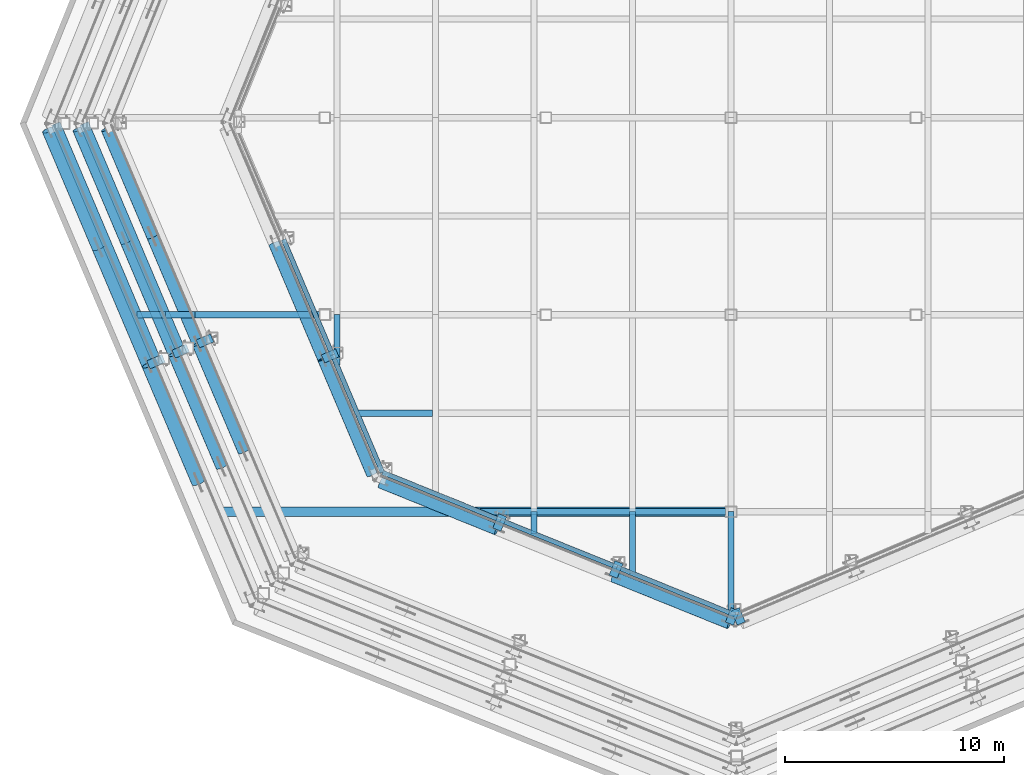
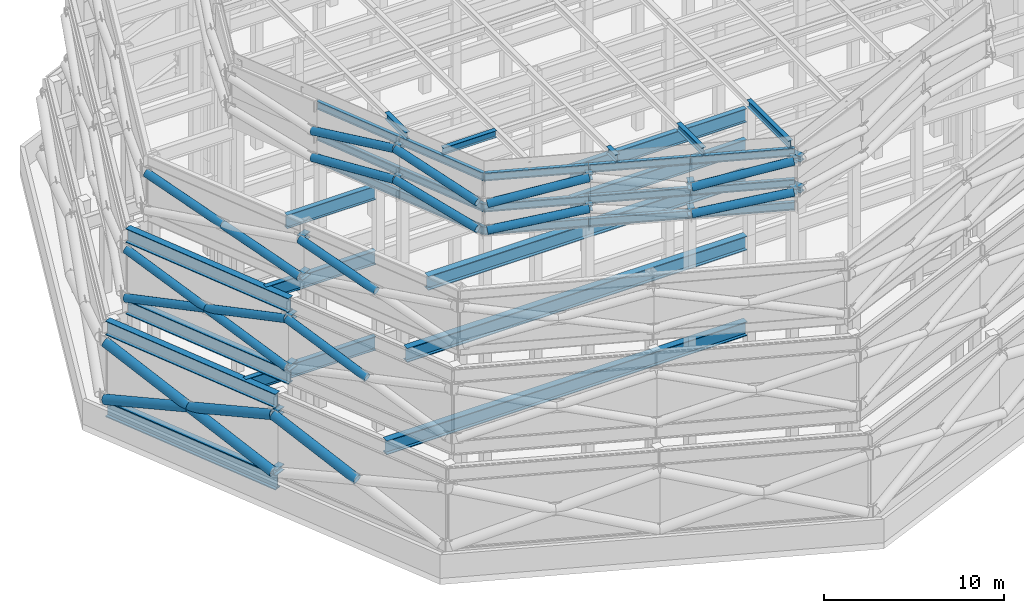
# One storey, part 4 of 19: 35 members, 32 beams.
"""IFC4 building model written with IfcOpenShell, lengths in metres."""

from ifc_helpers import new_model, si_unit, direction, frame, origin, origin_2d, place, context, subcontext, project, spatial, hollow_circle, i_section, extrude, material, material_profile, profile_set, type_object, element, save


model = new_model("IFC4")

# Units and contexts
model_context = context("Model", 3, precision=1e-05, world=origin(), true_north=direction((0.0, 1.0)))
body_context = subcontext(model_context, "Body", "Model", "MODEL_VIEW")
ifc_project = project(units=[si_unit("LENGTHUNIT", "METRE"), si_unit("AREAUNIT", "SQUARE_METRE"), si_unit("VOLUMEUNIT", "CUBIC_METRE"), si_unit("PLANEANGLEUNIT", "RADIAN"), si_unit("MASSUNIT", "GRAM", prefix="KILO")], contexts=[model_context])

# Site, building, storey
site_placement = place(None, origin())
site = spatial("IfcSite", under=ifc_project, at=site_placement, CompositionType="ELEMENT")
building_placement = place(site_placement, origin())
building = spatial("IfcBuilding", under=site, at=building_placement, Name="Orlundy Tower", CompositionType="ELEMENT")
storey_placement = place(building_placement, frame((0.0, 0.0, 304.300048828125)))
storey = spatial("IfcBuildingStorey", under=building, at=storey_placement, Name="Roof", CompositionType="ELEMENT", Elevation=304.300048828125)

# Beams
ifc_material_1 = material(Name="Steel ASTM A992 Gr 50", Category="steel")
ifc_material_profile_1 = material_profile(ifc_material_1, i_section(OverallWidth=0.2802734375, OverallDepth=0.46240234375, WebThickness=0.0107421875, FlangeThickness=0.017333984375, at=origin_2d()), Name="W18X76")
ifc_profile_set_1 = profile_set([ifc_material_profile_1], Name="Steel ASTM A992 Gr 50")
beam_type_1 = type_object("IfcBeamType", Name="CROWN FRAME beam W18X76", PredefinedType="BEAM", material=ifc_profile_set_1)
beam_1_placement = place(storey_placement, frame((-18.0, -11.306640625, 21.131103515625), z_axis=(0.0, 1.0, 0.0), x_axis=(-1.0, 0.0, 0.0)))
element("IfcBeam", 1, at=beam_1_placement, inside=storey, type_object=beam_type_1, Name="CROWN FRAME secondary beam 02A", PredefinedType="BEAM", context=body_context, shape_type="SweptSolid", body=[
    extrude(i_section(OverallWidth=0.2802734375, OverallDepth=0.46240234375, WebThickness=0.0107421875, FlangeThickness=0.017333984375, at=origin_2d()), origin(), (0.0, 0.0, 1.0), 2.306640625),
])
beam_2_placement = place(storey_placement, frame((-9.0, -18.998779296875, 21.131103515625), z_axis=(0.0, 1.0, 0.0), x_axis=(-1.0, 0.0, 0.0)))
element("IfcBeam", 2, at=beam_2_placement, inside=storey, type_object=beam_type_1, Name="CROWN FRAME secondary beam 04A", PredefinedType="BEAM", context=body_context, shape_type="SweptSolid", body=[
    extrude(i_section(OverallWidth=0.2802734375, OverallDepth=0.46240234375, WebThickness=0.0107421875, FlangeThickness=0.017333984375, at=origin_2d()), origin(), (0.0, 0.0, 1.0), 0.998779296875),
])
beam_3_placement = place(storey_placement, frame((-4.5, -20.81689453125, 21.131103515625), z_axis=(0.0, 1.0, 0.0), x_axis=(-1.0, 0.0, 0.0)))
element("IfcBeam", 3, at=beam_3_placement, inside=storey, type_object=beam_type_1, Name="CROWN FRAME secondary beam 05A", PredefinedType="BEAM", context=body_context, shape_type="SweptSolid", body=[
    extrude(i_section(OverallWidth=0.2802734375, OverallDepth=0.46240234375, WebThickness=0.0107421875, FlangeThickness=0.017333984375, at=origin_2d()), origin(), (0.0, 0.0, 1.0), 2.81689453125),
])
beam_4_placement = place(storey_placement, frame((0.0, -22.635009765625, 21.131103515625), z_axis=(0.0, 1.0, 0.0), x_axis=(-1.0, 0.0, 0.0)))
element("IfcBeam", 4, at=beam_4_placement, inside=storey, type_object=beam_type_1, Name="CROWN FRAME secondary beam 06A", PredefinedType="BEAM", context=body_context, shape_type="SweptSolid", body=[
    extrude(i_section(OverallWidth=0.2802734375, OverallDepth=0.46240234375, WebThickness=0.0107421875, FlangeThickness=0.017333984375, at=origin_2d()), origin(), (0.0, 0.0, 1.0), 4.635009765625),
])
beam_5_placement = place(storey_placement, frame((-17.06884765625, -13.5, 21.131103515625), z_axis=(1.0, 0.0, 0.0), x_axis=(0.0, 1.0, 0.0)))
element("IfcBeam", 5, at=beam_5_placement, inside=storey, type_object=beam_type_1, Name="CROWN FRAME cap cross beam 1A", PredefinedType="BEAM", context=body_context, shape_type="SweptSolid", body=[
    extrude(i_section(OverallWidth=0.2802734375, OverallDepth=0.46240234375, WebThickness=0.0107421875, FlangeThickness=0.017333984375, at=origin_2d()), origin(), (0.0, 0.0, 1.0), 3.4287109375),
])
ifc_material_2 = material(Name="Steel ASTM A992 Gr 50", Category="steel")
ifc_material_profile_2 = material_profile(ifc_material_2, i_section(OverallWidth=0.2138671875, OverallDepth=0.549072265625, WebThickness=0.0146484375, FlangeThickness=0.023681640625, at=origin_2d()), Name="W21X93")
ifc_profile_set_2 = profile_set([ifc_material_profile_2], Name="Steel ASTM A992 Gr 50")
beam_type_2 = type_object("IfcBeamType", Name="CROWN FRAME beam W21X93", PredefinedType="BEAM", material=ifc_profile_set_2)
beam_6_placement = place(storey_placement, frame((-20.437744140625, -5.563720703125, 16.974365234375), z_axis=(0.390743549049, -0.920499581139, 0.0), x_axis=(0.920499581139, 0.390743549049, 0.0)))
element("IfcBeam", 6, at=beam_6_placement, inside=storey, type_object=beam_type_2, Name="CROWN FRAME foot ring beam 4-11", PredefinedType="BEAM", context=body_context, shape_type="SweptSolid", body=[
    extrude(i_section(OverallWidth=0.2138671875, OverallDepth=0.549072265625, WebThickness=0.0146484375, FlangeThickness=0.023681640625, at=origin_2d()), origin(), (0.0, 0.0, 1.0), 5.72900390625),
])
for number, where, z_axis, x_axis, name in (
    (7, (-18.19921875, -10.837158203125, 16.974365234375), (0.390721951602, -0.920508748756, 0.0), (0.920508748756, 0.390721951602, 0.0), "CROWN FRAME foot ring beam 4-12"),
    (8, (-15.921875, -16.202392578125, 16.974365234375), (0.927191485456, -0.374587705748, 0.0), (0.374587705748, 0.927191485456, 0.0), "CROWN FRAME foot ring beam 4-13"),
):
    element("IfcBeam", number, at=place(storey_placement, frame(where, z_axis=z_axis, x_axis=x_axis)), inside=storey, type_object=beam_type_2, Name=name, PredefinedType="BEAM", context=body_context, shape_type="SweptSolid", body=[
        extrude(i_section(OverallWidth=0.2138671875, OverallDepth=0.549072265625, WebThickness=0.0146484375, FlangeThickness=0.023681640625, at=origin_2d()), origin(), (0.0, 0.0, 1.0), 5.82861328125),
    ])
beam_7_placement = place(storey_placement, frame((-10.517578125, -18.3857421875, 16.974365234375), z_axis=(0.927189754333, -0.374591990651, 0.0), x_axis=(0.374591990651, 0.927189754333, 0.0)))
element("IfcBeam", 9, at=beam_7_placement, inside=storey, type_object=beam_type_2, Name="CROWN FRAME foot ring beam 4-14", PredefinedType="BEAM", context=body_context, shape_type="SweptSolid", body=[
    extrude(i_section(OverallWidth=0.2138671875, OverallDepth=0.549072265625, WebThickness=0.0146484375, FlangeThickness=0.023681640625, at=origin_2d()), origin(), (0.0, 0.0, 1.0), 5.72900390625),
])
beam_8_placement = place(storey_placement, frame((-5.205810546875, -20.53173828125, 16.974365234375), z_axis=(0.927191485456, -0.374587705748, 0.0), x_axis=(0.374587705748, 0.927191485456, 0.0)))
element("IfcBeam", 10, at=beam_8_placement, inside=storey, type_object=beam_type_2, Name="CROWN FRAME foot ring beam 4-15", PredefinedType="BEAM", context=body_context, shape_type="SweptSolid", body=[
    extrude(i_section(OverallWidth=0.2138671875, OverallDepth=0.549072265625, WebThickness=0.0146484375, FlangeThickness=0.023681640625, at=origin_2d()), origin(), (0.0, 0.0, 1.0), 5.82861328125),
])
beam_9_placement = place(storey_placement, frame((-20.437744140625, -5.563720703125, 18.525390625), z_axis=(0.390743549049, -0.920499581139, 0.0), x_axis=(0.920499581139, 0.390743549049, 0.0)))
element("IfcBeam", 11, at=beam_9_placement, inside=storey, type_object=beam_type_2, Name="CROWN FRAME head ring beam 4-11", PredefinedType="BEAM", context=body_context, shape_type="SweptSolid", body=[
    extrude(i_section(OverallWidth=0.2138671875, OverallDepth=0.549072265625, WebThickness=0.0146484375, FlangeThickness=0.023681640625, at=origin_2d()), origin(), (0.0, 0.0, 1.0), 5.72900390625),
])
for number, where, z_axis, x_axis, name in (
    (12, (-18.19921875, -10.837158203125, 18.525390625), (0.390721951602, -0.920508748756, 0.0), (0.920508748756, 0.390721951602, 0.0), "CROWN FRAME head ring beam 4-12"),
    (13, (-15.921875, -16.202392578125, 18.525390625), (0.927191485456, -0.374587705748, 0.0), (0.374587705748, 0.927191485456, 0.0), "CROWN FRAME head ring beam 4-13"),
):
    element("IfcBeam", number, at=place(storey_placement, frame(where, z_axis=z_axis, x_axis=x_axis)), inside=storey, type_object=beam_type_2, Name=name, PredefinedType="BEAM", context=body_context, shape_type="SweptSolid", body=[
        extrude(i_section(OverallWidth=0.2138671875, OverallDepth=0.549072265625, WebThickness=0.0146484375, FlangeThickness=0.023681640625, at=origin_2d()), origin(), (0.0, 0.0, 1.0), 5.82861328125),
    ])
beam_10_placement = place(storey_placement, frame((-10.517578125, -18.3857421875, 18.525390625), z_axis=(0.927189754333, -0.374591990651, 0.0), x_axis=(0.374591990651, 0.927189754333, 0.0)))
element("IfcBeam", 14, at=beam_10_placement, inside=storey, type_object=beam_type_2, Name="CROWN FRAME head ring beam 4-14", PredefinedType="BEAM", context=body_context, shape_type="SweptSolid", body=[
    extrude(i_section(OverallWidth=0.2138671875, OverallDepth=0.549072265625, WebThickness=0.0146484375, FlangeThickness=0.023681640625, at=origin_2d()), origin(), (0.0, 0.0, 1.0), 5.72900390625),
])
beam_11_placement = place(storey_placement, frame((-5.205810546875, -20.53173828125, 18.525390625), z_axis=(0.927191485456, -0.374587705748, 0.0), x_axis=(0.374587705748, 0.927191485456, 0.0)))
element("IfcBeam", 15, at=beam_11_placement, inside=storey, type_object=beam_type_2, Name="CROWN FRAME head ring beam 4-15", PredefinedType="BEAM", context=body_context, shape_type="SweptSolid", body=[
    extrude(i_section(OverallWidth=0.2138671875, OverallDepth=0.549072265625, WebThickness=0.0146484375, FlangeThickness=0.023681640625, at=origin_2d()), origin(), (0.0, 0.0, 1.0), 5.82861328125),
])
beam_12_placement = place(storey_placement, frame((-20.437744140625, -5.563720703125, 20.62548828125), z_axis=(0.390743549049, -0.920499581139, 0.0), x_axis=(0.920499581139, 0.390743549049, 0.0)))
element("IfcBeam", 16, at=beam_12_placement, inside=storey, type_object=beam_type_2, Name="CROWN FRAME head ring beam 5-11", PredefinedType="BEAM", context=body_context, shape_type="SweptSolid", body=[
    extrude(i_section(OverallWidth=0.2138671875, OverallDepth=0.549072265625, WebThickness=0.0146484375, FlangeThickness=0.023681640625, at=origin_2d()), origin(), (0.0, 0.0, 1.0), 5.72900390625),
])
for number, where, z_axis, x_axis, name in (
    (17, (-18.19921875, -10.837158203125, 20.62548828125), (0.390721951602, -0.920508748756, 0.0), (0.920508748756, 0.390721951602, 0.0), "CROWN FRAME head ring beam 5-12"),
    (18, (-15.921875, -16.202392578125, 20.62548828125), (0.927191485456, -0.374587705748, 0.0), (0.374587705748, 0.927191485456, 0.0), "CROWN FRAME head ring beam 5-13"),
):
    element("IfcBeam", number, at=place(storey_placement, frame(where, z_axis=z_axis, x_axis=x_axis)), inside=storey, type_object=beam_type_2, Name=name, PredefinedType="BEAM", context=body_context, shape_type="SweptSolid", body=[
        extrude(i_section(OverallWidth=0.2138671875, OverallDepth=0.549072265625, WebThickness=0.0146484375, FlangeThickness=0.023681640625, at=origin_2d()), origin(), (0.0, 0.0, 1.0), 5.82861328125),
    ])
beam_13_placement = place(storey_placement, frame((-10.517578125, -18.3857421875, 20.62548828125), z_axis=(0.927189754333, -0.374591990651, 0.0), x_axis=(0.374591990651, 0.927189754333, 0.0)))
element("IfcBeam", 19, at=beam_13_placement, inside=storey, type_object=beam_type_2, Name="CROWN FRAME head ring beam 5-14", PredefinedType="BEAM", context=body_context, shape_type="SweptSolid", body=[
    extrude(i_section(OverallWidth=0.2138671875, OverallDepth=0.549072265625, WebThickness=0.0146484375, FlangeThickness=0.023681640625, at=origin_2d()), origin(), (0.0, 0.0, 1.0), 5.72900390625),
])
beam_14_placement = place(storey_placement, frame((-5.205810546875, -20.53173828125, 20.62548828125), z_axis=(0.927191485456, -0.374587705748, 0.0), x_axis=(0.374587705748, 0.927191485456, 0.0)))
element("IfcBeam", 20, at=beam_14_placement, inside=storey, type_object=beam_type_2, Name="CROWN FRAME head ring beam 5-15", PredefinedType="BEAM", context=body_context, shape_type="SweptSolid", body=[
    extrude(i_section(OverallWidth=0.2138671875, OverallDepth=0.549072265625, WebThickness=0.0146484375, FlangeThickness=0.023681640625, at=origin_2d()), origin(), (0.0, 0.0, 1.0), 5.82861328125),
])
ifc_material_3 = material(Name="Steel ASTM A992 Gr 50", Category="steel")
ifc_material_profile_3 = material_profile(ifc_material_3, i_section(OverallWidth=0.3076171875, OverallDepth=0.9267578125, WebThickness=0.01953125, FlangeThickness=0.031982421875, at=origin_2d()), Name="W36X194")
ifc_profile_set_3 = profile_set([ifc_material_profile_3], Name="Steel ASTM A992 Gr 50")
beam_type_3 = type_object("IfcBeamType", Name="CROWN FRAME beam W36X194", PredefinedType="BEAM", material=ifc_profile_set_3)
beam_15_placement = place(storey_placement, frame((-27.1318359375, -9.0, 6.03662109375), z_axis=(1.0, 0.0, 0.0), x_axis=(0.0, 1.0, 0.0)))
element("IfcBeam", 21, at=beam_15_placement, inside=storey, type_object=beam_type_3, Name="CROWN FRAME primary beam 2A frame 1", PredefinedType="BEAM", context=body_context, shape_type="SweptSolid", body=[
    extrude(i_section(OverallWidth=0.3076171875, OverallDepth=0.9267578125, WebThickness=0.01953125, FlangeThickness=0.031982421875, at=origin_2d()), origin(), (0.0, 0.0, 1.0), 8.353271484375),
])
beam_16_placement = place(storey_placement, frame((-25.828125, -9.0, 11.836669921875), z_axis=(1.0, 0.0, 0.0), x_axis=(0.0, 1.0, 0.0)))
element("IfcBeam", 22, at=beam_16_placement, inside=storey, type_object=beam_type_3, Name="CROWN FRAME primary beam 2A frame 2", PredefinedType="BEAM", context=body_context, shape_type="SweptSolid", body=[
    extrude(i_section(OverallWidth=0.3076171875, OverallDepth=0.9267578125, WebThickness=0.01953125, FlangeThickness=0.031982421875, at=origin_2d()), origin(), (0.0, 0.0, 1.0), 7.049560546875),
])
beam_17_placement = place(storey_placement, frame((-24.473388671875, -9.0, 16.236572265625), z_axis=(1.0, 0.0, 0.0), x_axis=(0.0, 1.0, 0.0)))
element("IfcBeam", 23, at=beam_17_placement, inside=storey, type_object=beam_type_3, Name="CROWN FRAME primary beam 2A frame 3", PredefinedType="BEAM", context=body_context, shape_type="SweptSolid", body=[
    extrude(i_section(OverallWidth=0.3076171875, OverallDepth=0.9267578125, WebThickness=0.01953125, FlangeThickness=0.031982421875, at=origin_2d()), origin(), (0.0, 0.0, 1.0), 5.69482421875),
])
for number, where, z_axis, x_axis, name in (
    (24, (-11.472412109375, -18.0, 18.336669921875), (1.0, 0.0, 0.0), (0.0, 1.0, 0.0), "CROWN FRAME primary beam 1A frame 4"),
    (25, (-11.472412109375, -18.0, 20.4365234375), (1.0, 0.0, 0.0), (0.0, 1.0, 0.0), "CROWN FRAME primary beam 1A frame 5"),
):
    element("IfcBeam", number, at=place(storey_placement, frame(where, z_axis=z_axis, x_axis=x_axis)), inside=storey, type_object=beam_type_3, Name=name, PredefinedType="BEAM", context=body_context, shape_type="SweptSolid", body=[
        extrude(i_section(OverallWidth=0.3076171875, OverallDepth=0.9267578125, WebThickness=0.01953125, FlangeThickness=0.031982421875, at=origin_2d()), origin(), (0.0, 0.0, 1.0), 11.243896484375),
    ])
ifc_material_4 = material(Name="Steel ASTM A992 Gr 50", Category="steel")
ifc_material_profile_4 = material_profile(ifc_material_4, i_section(OverallWidth=0.423095703125, OverallDepth=0.947265625, WebThickness=0.02392578125, FlangeThickness=0.042724609375, at=origin_2d()), Name="W36X302")
ifc_profile_set_4 = profile_set([ifc_material_profile_4], Name="Steel ASTM A992 Gr 50")
beam_type_4 = type_object("IfcBeamType", Name="CROWN FRAME beam W36X302", PredefinedType="BEAM", material=ifc_profile_set_4)
beam_18_placement = place(storey_placement, frame((-30.837890625, -0.269287109375, 6.0263671875), z_axis=(0.390733654412, -0.920503781258, 0.0), x_axis=(0.920503781258, 0.390733654412, 0.0)))
element("IfcBeam", 26, at=beam_18_placement, inside=storey, type_object=beam_type_4, Name="CROWN FRAME head ring beam 1-07", PredefinedType="BEAM", context=body_context, shape_type="SweptSolid", body=[
    extrude(i_section(OverallWidth=0.423095703125, OverallDepth=0.947265625, WebThickness=0.02392578125, FlangeThickness=0.042724609375, at=origin_2d()), origin(), (0.0, 0.0, 1.0), 11.8017578125),
])
for number, where, z_axis, x_axis, name in (
    (27, (-29.5390625, -0.2578125, 6.9736328125), (0.390742289299, -0.92050011589, 0.0), (0.92050011589, 0.390742289299, 0.0), "CROWN FRAME foot ring beam 2-07"),
    (28, (-29.5390625, -0.2578125, 11.826416015625), (0.390742289299, -0.92050011589, 0.0), (0.92050011589, 0.390742289299, 0.0), "CROWN FRAME head ring beam 2-07"),
):
    element("IfcBeam", number, at=place(storey_placement, frame(where, z_axis=z_axis, x_axis=x_axis)), inside=storey, type_object=beam_type_4, Name=name, PredefinedType="BEAM", context=body_context, shape_type="SweptSolid", body=[
        extrude(i_section(OverallWidth=0.423095703125, OverallDepth=0.947265625, WebThickness=0.02392578125, FlangeThickness=0.042724609375, at=origin_2d()), origin(), (0.0, 0.0, 1.0), 11.3046875),
    ])
beam_19_placement = place(storey_placement, frame((-23.311279296875, -18.0, 6.0263671875), z_axis=(1.0, 0.0, 0.0), x_axis=(0.0, 1.0, 0.0)))
element("IfcBeam", 29, at=beam_19_placement, inside=storey, type_object=beam_type_4, Name="CROWN FRAME primary beam 1A frame 1", PredefinedType="BEAM", context=body_context, shape_type="SweptSolid", body=[
    extrude(i_section(OverallWidth=0.423095703125, OverallDepth=0.947265625, WebThickness=0.02392578125, FlangeThickness=0.042724609375, at=origin_2d()), origin(), (0.0, 0.0, 1.0), 23.082763671875),
])
beam_20_placement = place(storey_placement, frame((-22.0078125, -18.0, 11.826416015625), z_axis=(1.0, 0.0, 0.0), x_axis=(0.0, 1.0, 0.0)))
element("IfcBeam", 30, at=beam_20_placement, inside=storey, type_object=beam_type_4, Name="CROWN FRAME primary beam 1A frame 2", PredefinedType="BEAM", context=body_context, shape_type="SweptSolid", body=[
    extrude(i_section(OverallWidth=0.423095703125, OverallDepth=0.947265625, WebThickness=0.02392578125, FlangeThickness=0.042724609375, at=origin_2d()), origin(), (0.0, 0.0, 1.0), 21.779296875),
])
beam_21_placement = place(storey_placement, frame((-20.6533203125, -18.0, 16.226318359375), z_axis=(1.0, 0.0, 0.0), x_axis=(0.0, 1.0, 0.0)))
element("IfcBeam", 31, at=beam_21_placement, inside=storey, type_object=beam_type_4, Name="CROWN FRAME primary beam 1A frame 3", PredefinedType="BEAM", context=body_context, shape_type="SweptSolid", body=[
    extrude(i_section(OverallWidth=0.423095703125, OverallDepth=0.947265625, WebThickness=0.02392578125, FlangeThickness=0.042724609375, at=origin_2d()), origin(), (0.0, 0.0, 1.0), 20.4248046875),
])
ifc_material_5 = material(Name="Steel ASTM A992 Gr 50", Category="steel")
ifc_material_profile_5 = material_profile(ifc_material_5, i_section(OverallWidth=0.41650390625, OverallDepth=1.068115234375, WebThickness=0.0390625, FlangeThickness=0.070068359375, at=origin_2d()), Name="W40X503")
ifc_profile_set_5 = profile_set([ifc_material_profile_5], Name="Steel ASTM A992 Gr 50")
beam_type_5 = type_object("IfcBeamType", Name="CROWN FRAME beam W40X503", PredefinedType="BEAM", material=ifc_profile_set_5)
beam_22_placement = place(storey_placement, frame((-30.834228515625, -0.269287109375, 0.533935546875), z_axis=(0.390725710556, -0.92050715321, 0.0), x_axis=(0.92050715321, 0.390725710556, 0.0)))
element("IfcBeam", 32, at=beam_22_placement, inside=storey, type_object=beam_type_5, Name="CROWN FRAME foot ring beam 1-07", PredefinedType="BEAM", context=body_context, shape_type="SweptSolid", body=[
    extrude(i_section(OverallWidth=0.41650390625, OverallDepth=1.068115234375, WebThickness=0.0390625, FlangeThickness=0.070068359375, at=origin_2d()), origin(), (0.0, 0.0, 1.0), 11.800048828125),
])

# Members
ifc_material_6 = material(Name="Steel ASTM A500 Gr C", Category="steel")
ifc_material_profile_6 = material_profile(ifc_material_6, hollow_circle(Radius=0.25390625, WallThickness=0.01171875, at=origin_2d()), Name="HSS20.000X0.500")
ifc_profile_set_6 = profile_set([ifc_material_profile_6], Name="Steel ASTM A500 Gr C")
member_type_1 = type_object("IfcMemberType", Name="CROWN FRAME diagonal HSS20.000X0.500", PredefinedType="BRACE", material=ifc_profile_set_6)
member_1_placement = place(storey_placement, frame((-29.816650390625, -0.53125, 7.7470703125), z_axis=(0.374642232115, -0.882610370828, 0.283975582088), x_axis=(0.920506219917, 0.390727909284, 0.0)))
element("IfcMember", 33, at=member_1_placement, inside=storey, type_object=member_type_1, Name="CROWN FRAME brace 2-07a", PredefinedType="BRACE", context=body_context, shape_type="SweptSolid", body=[
    extrude(hollow_circle(Radius=0.25390625, WallThickness=0.01171875, at=origin_2d()), origin(), (0.0, 0.0, 1.0), 11.640625),
])
for number, where, z_axis, x_axis, name in (
    (34, (-25.45556640625, -10.805419921875, 7.7470703125), (-0.374667196634, 0.882598800311, 0.283978607391), (-0.920495012787, -0.390754310832, 0.0), "CROWN FRAME brace 2-07ba"),
    (35, (-27.63623046875, -5.66845703125, 9.39990234375), (-0.374617267841, 0.882621940422, 0.283972556632), (-0.920517426031, -0.390701508026, 0.0), "CROWN FRAME brace 2-07bb"),
    (36, (-23.27490234375, -15.9423828125, 9.39990234375), (-0.374667196634, 0.882598800311, 0.283978607391), (-0.920495012787, -0.390754310832, 0.0), "CROWN FRAME brace 2-08bb"),
):
    element("IfcMember", number, at=place(storey_placement, frame(where, z_axis=z_axis, x_axis=x_axis)), inside=storey, type_object=member_type_1, Name=name, PredefinedType="BRACE", context=body_context, shape_type="SweptSolid", body=[
        extrude(hollow_circle(Radius=0.25390625, WallThickness=0.01171875, at=origin_2d()), origin(), (0.0, 0.0, 1.0), 5.8203125),
    ])
member_2_placement = place(storey_placement, frame((-24.35107421875, -10.33642578125, 13.23486328125), z_axis=(-0.380189985283, 0.895633872055, 0.230858273229), x_axis=(-0.920498952892, -0.390745029048, 0.0)))
element("IfcMember", 37, at=member_2_placement, inside=storey, type_object=member_type_1, Name="CROWN FRAME brace 3-07ba", PredefinedType="BRACE", context=body_context, shape_type="SweptSolid", body=[
    extrude(hollow_circle(Radius=0.25390625, WallThickness=0.01171875, at=origin_2d()), origin(), (0.0, 0.0, 1.0), 5.480224609375),
])
member_3_placement = place(storey_placement, frame((-26.4345703125, -5.42822265625, 14.5), z_axis=(-0.38015578332, 0.895658252416, 0.230820006256), x_axis=(-0.920515421003, -0.390706231965, 0.0)))
element("IfcMember", 38, at=member_3_placement, inside=storey, type_object=member_type_1, Name="CROWN FRAME brace 3-07bb", PredefinedType="BRACE", context=body_context, shape_type="SweptSolid", body=[
    extrude(hollow_circle(Radius=0.25390625, WallThickness=0.01171875, at=origin_2d()), origin(), (0.0, 0.0, 1.0), 5.47998046875),
])
member_4_placement = place(storey_placement, frame((-22.267578125, -15.244873046875, 14.5), z_axis=(-0.380178725407, 0.895651895279, 0.230806887314), x_axis=(-0.920505943264, -0.390728561045, 0.0)))
element("IfcMember", 39, at=member_4_placement, inside=storey, type_object=member_type_1, Name="CROWN FRAME brace 3-08bb", PredefinedType="BRACE", context=body_context, shape_type="SweptSolid", body=[
    extrude(hollow_circle(Radius=0.25390625, WallThickness=0.01171875, at=origin_2d()), origin(), (0.0, 0.0, 1.0), 5.480224609375),
])
for number, where, z_axis, x_axis, name in (
    (40, (-20.86767578125, -5.74609375, 17.299072265625), (0.385990047996, -0.909301454544, 0.155507387643), (0.920499581139, 0.390743549049, 0.0), "CROWN FRAME brace 4-11a"),
    (41, (-16.390869140625, -16.29296875, 17.299072265625), (-0.385954221838, 0.909316229461, 0.155509914427), (-0.920514908677, -0.390707439016, 0.0), "CROWN FRAME brace 4-12b"),
):
    element("IfcMember", number, at=place(storey_placement, frame(where, z_axis=z_axis, x_axis=x_axis)), inside=storey, type_object=member_type_1, Name=name, PredefinedType="BRACE", context=body_context, shape_type="SweptSolid", body=[
        extrude(hollow_circle(Radius=0.25390625, WallThickness=0.01171875, at=origin_2d()), origin(), (0.0, 0.0, 1.0), 5.79931640625),
    ])
for number, where, z_axis, x_axis, name in (
    (42, (-16.00439453125, -16.6728515625, 17.299072265625), (0.915910251797, -0.370034982456, 0.15550730662), (0.374591990651, 0.927189754333, 0.0), "CROWN FRAME brace 4-13a"),
    (43, (-5.380859375, -20.96484375, 17.299072265625), (0.915910251797, -0.370034982456, 0.15550730662), (0.374591990651, 0.927189754333, 0.0), "CROWN FRAME brace 4-15a"),
):
    element("IfcMember", number, at=place(storey_placement, frame(where, z_axis=z_axis, x_axis=x_axis)), inside=storey, type_object=member_type_1, Name=name, PredefinedType="BRACE", context=body_context, shape_type="SweptSolid", body=[
        extrude(hollow_circle(Radius=0.25390625, WallThickness=0.01171875, at=origin_2d()), origin(), (0.0, 0.0, 1.0), 5.799560546875),
    ])
member_5_placement = place(storey_placement, frame((-20.86767578125, -5.74609375, 19.099853515625), z_axis=(0.382431227207, -0.900917712693, 0.205167325404), x_axis=(0.920499581139, 0.390743549049, 0.0)))
element("IfcMember", 44, at=member_5_placement, inside=storey, type_object=member_type_1, Name="CROWN FRAME brace 5-11a", PredefinedType="BRACE", context=body_context, shape_type="SweptSolid", body=[
    extrude(hollow_circle(Radius=0.25390625, WallThickness=0.01171875, at=origin_2d()), origin(), (0.0, 0.0, 1.0), 5.853515625),
])
member_6_placement = place(storey_placement, frame((-16.390869140625, -16.29296875, 19.099853515625), z_axis=(-0.382395617318, 0.900932082685, 0.205170597904), x_axis=(-0.920514908677, -0.390707439016, 0.0)))
element("IfcMember", 45, at=member_6_placement, inside=storey, type_object=member_type_1, Name="CROWN FRAME brace 5-12b", PredefinedType="BRACE", context=body_context, shape_type="SweptSolid", body=[
    extrude(hollow_circle(Radius=0.25390625, WallThickness=0.01171875, at=origin_2d()), origin(), (0.0, 0.0, 1.0), 5.853271484375),
])
for number, where, z_axis, x_axis, name in (
    (46, (-16.00439453125, -16.6728515625, 19.099853515625), (0.90746558564, -0.366623270569, 0.20516722047), (0.374591990651, 0.927189754333, 0.0), "CROWN FRAME brace 5-13a"),
    (47, (-5.380859375, -20.96484375, 19.099853515625), (0.90746558564, -0.366623270569, 0.20516722047), (0.374591990651, 0.927189754333, 0.0), "CROWN FRAME brace 5-15a"),
):
    element("IfcMember", number, at=place(storey_placement, frame(where, z_axis=z_axis, x_axis=x_axis)), inside=storey, type_object=member_type_1, Name=name, PredefinedType="BRACE", context=body_context, shape_type="SweptSolid", body=[
        extrude(hollow_circle(Radius=0.25390625, WallThickness=0.01171875, at=origin_2d()), origin(), (0.0, 0.0, 1.0), 5.853515625),
    ])
ifc_material_7 = material(Name="Steel ASTM A1085 Gr A", Category="steel")
ifc_material_profile_7 = material_profile(ifc_material_7, hollow_circle(Radius=0.3046875, WallThickness=0.023681640625, at=origin_2d()), Name="HSS24.000X1.000")
ifc_profile_set_7 = profile_set([ifc_material_profile_7], Name="Steel ASTM A1085 Gr A")
member_type_2 = type_object("IfcMemberType", Name="CROWN FRAME diagonal HSS24.000X1.000", PredefinedType="BRACE", material=ifc_profile_set_7)
member_7_placement = place(storey_placement, frame((-31.162353515625, -0.5625, 1.3681640625), z_axis=(0.370701907246, -0.873302092117, 0.316106867795), x_axis=(0.920502138174, 0.390737525222, 0.0)))
element("IfcMember", 48, at=member_7_placement, inside=storey, type_object=member_type_2, Name="CROWN FRAME brace 1-07a", PredefinedType="BRACE", context=body_context, shape_type="SweptSolid", body=[
    extrude(hollow_circle(Radius=0.3046875, WallThickness=0.023681640625, at=origin_2d()), origin(), (0.0, 0.0, 1.0), 12.28857421875),
])
for number, where, z_axis, x_axis, name in (
    (49, (-26.60693359375, -11.294189453125, 1.3681640625), (-0.37068066643, 0.873318723065, 0.316085829291), (-0.920512866825, -0.390712249629, 0.0), "CROWN FRAME brace 1-07ba"),
    (50, (-28.884521484375, -5.92822265625, 3.310302734375), (-0.370723147785, 0.873285460024, 0.316127906086), (-0.920491408592, -0.390762801081, 0.0), "CROWN FRAME brace 1-07bb"),
    (51, (-24.329345703125, -16.659912109375, 3.310302734375), (-0.370688873441, 0.873298323559, 0.316132562664), (-0.920506472994, -0.390727313066, 0.0), "CROWN FRAME brace 1-08bb"),
):
    element("IfcMember", number, at=place(storey_placement, frame(where, z_axis=z_axis, x_axis=x_axis)), inside=storey, type_object=member_type_2, Name=name, PredefinedType="BRACE", context=body_context, shape_type="SweptSolid", body=[
        extrude(hollow_circle(Radius=0.3046875, WallThickness=0.023681640625, at=origin_2d()), origin(), (0.0, 0.0, 1.0), 6.144287109375),
    ])
ifc_material_8 = material(Name="Steel ASTM A992 Gr 50", Category="steel")
ifc_material_profile_8 = material_profile(ifc_material_8, i_section(OverallWidth=0.39892578125, OverallDepth=0.393310546875, WebThickness=0.022705078125, FlangeThickness=0.03662109375, at=origin_2d()), Name="W14X193")
ifc_profile_set_8 = profile_set([ifc_material_profile_8], Name="Steel ASTM A992 Gr 50")
member_type_3 = type_object("IfcMemberType", Name="CROWN FRAME strut W14X193", PredefinedType="STRUT", material=ifc_profile_set_8)
for number, where, z_axis, x_axis, name in (
    (52, (-25.908447265625, -10.997802734375, 5.252685546875), (-0.9205537351, -0.390615950511, 0.0), (0.390615950511, -0.9205537351, 0.0), "CROWN FRAME brace connector 1-07A1"),
    (53, (-25.908447265625, -10.997802734375, 1.3681640625), (-0.9205537351, -0.390615950511, 0.0), (0.390615950511, -0.9205537351, 0.0), "CROWN FRAME brace connector 1-07B0"),
):
    element("IfcMember", number, at=place(storey_placement, frame(where, z_axis=z_axis, x_axis=x_axis)), inside=storey, type_object=member_type_3, Name=name, PredefinedType="STRUT", context=body_context, shape_type="SweptSolid", body=[
        extrude(i_section(OverallWidth=0.39892578125, OverallDepth=0.393310546875, WebThickness=0.022705078125, FlangeThickness=0.03662109375, at=origin_2d()), origin(), (0.0, 0.0, 1.0), 0.7587890625),
    ])
for number, where, z_axis, x_axis, name in (
    (54, (-24.803955078125, -10.52880859375, 11.052734375), (-0.920495337048, -0.390753546975, 0.0), (0.390753546975, -0.920495337048, 0.0), "CROWN FRAME brace connector 2-07A1"),
    (55, (-24.803955078125, -10.52880859375, 7.7470703125), (-0.920495337048, -0.390753546975, 0.0), (0.390753546975, -0.920495337048, 0.0), "CROWN FRAME brace connector 2-07B0"),
    (56, (-23.69921875, -10.059814453125, 15.764892578125), (-0.920547971742, -0.390629532578, 0.0), (0.390629532578, -0.920547971742, 0.0), "CROWN FRAME brace connector 3-07A1"),
    (57, (-23.69921875, -10.059814453125, 13.23486328125), (-0.920547971742, -0.390629532578, 0.0), (0.390629532578, -0.920547971742, 0.0), "CROWN FRAME brace connector 3-07B0"),
    (58, (-17.9775390625, -10.742919921875, 18.200927734375), (-0.920495337048, -0.390753546975, 0.0), (0.390753546975, -0.920495337048, 0.0), "CROWN FRAME brace connector 4-11A1"),
    (59, (-10.42724609375, -18.162353515625, 18.200927734375), (-0.374776564809, -0.927115163542, 0.0), (0.927115163542, -0.374776564809, 0.0), "CROWN FRAME brace connector 4-13A1"),
    (60, (-5.115478515625, -20.308349609375, 17.299072265625), (-0.374776564809, -0.927115163542, 0.0), (0.927115163542, -0.374776564809, 0.0), "CROWN FRAME brace connector 4-14B0"),
):
    element("IfcMember", number, at=place(storey_placement, frame(where, z_axis=z_axis, x_axis=x_axis)), inside=storey, type_object=member_type_3, Name=name, PredefinedType="STRUT", context=body_context, shape_type="SweptSolid", body=[
        extrude(i_section(OverallWidth=0.39892578125, OverallDepth=0.393310546875, WebThickness=0.022705078125, FlangeThickness=0.03662109375, at=origin_2d()), origin(), (0.0, 0.0, 1.0), 0.7080078125),
    ])
member_8_placement = place(storey_placement, frame((0.196044921875, -22.45458984375, 18.200927734375), z_axis=(-0.374599922936, -0.927186549588, 0.0), x_axis=(0.927186549588, -0.374599922936, 0.0)))
element("IfcMember", 61, at=member_8_placement, inside=storey, type_object=member_type_3, Name="CROWN FRAME brace connector 4-15A1", PredefinedType="STRUT", context=body_context, shape_type="SweptSolid", body=[
    extrude(i_section(OverallWidth=0.39892578125, OverallDepth=0.393310546875, WebThickness=0.022705078125, FlangeThickness=0.03662109375, at=origin_2d()), origin(), (0.0, 0.0, 1.0), 0.707763671875),
])
for number, where, z_axis, x_axis, name in (
    (62, (0.196044921875, -22.45458984375, 18.200927734375), (0.390753546975, -0.920495337048, 0.0), (0.920495337048, 0.390753546975, 0.0), "CROWN FRAME brace connector 4-16B1"),
    (63, (-17.9775390625, -10.742919921875, 20.30078125), (-0.920495337048, -0.390753546975, 0.0), (0.390753546975, -0.920495337048, 0.0), "CROWN FRAME brace connector 5-11A1"),
    (64, (-10.42724609375, -18.162353515625, 20.30078125), (-0.374776564809, -0.927115163542, 0.0), (0.927115163542, -0.374776564809, 0.0), "CROWN FRAME brace connector 5-13A1"),
    (65, (-5.115478515625, -20.308349609375, 19.099853515625), (-0.374776564809, -0.927115163542, 0.0), (0.927115163542, -0.374776564809, 0.0), "CROWN FRAME brace connector 5-14B0"),
):
    element("IfcMember", number, at=place(storey_placement, frame(where, z_axis=z_axis, x_axis=x_axis)), inside=storey, type_object=member_type_3, Name=name, PredefinedType="STRUT", context=body_context, shape_type="SweptSolid", body=[
        extrude(i_section(OverallWidth=0.39892578125, OverallDepth=0.393310546875, WebThickness=0.022705078125, FlangeThickness=0.03662109375, at=origin_2d()), origin(), (0.0, 0.0, 1.0), 0.7080078125),
    ])
member_9_placement = place(storey_placement, frame((0.196044921875, -22.45458984375, 20.30078125), z_axis=(-0.374599922936, -0.927186549588, 0.0), x_axis=(0.927186549588, -0.374599922936, 0.0)))
element("IfcMember", 66, at=member_9_placement, inside=storey, type_object=member_type_3, Name="CROWN FRAME brace connector 5-15A1", PredefinedType="STRUT", context=body_context, shape_type="SweptSolid", body=[
    extrude(i_section(OverallWidth=0.39892578125, OverallDepth=0.393310546875, WebThickness=0.022705078125, FlangeThickness=0.03662109375, at=origin_2d()), origin(), (0.0, 0.0, 1.0), 0.707763671875),
])
member_10_placement = place(storey_placement, frame((0.196044921875, -22.45458984375, 20.30078125), z_axis=(0.390753546975, -0.920495337048, 0.0), x_axis=(0.920495337048, 0.390753546975, 0.0)))
element("IfcMember", 67, at=member_10_placement, inside=storey, type_object=member_type_3, Name="CROWN FRAME brace connector 5-16B1", PredefinedType="STRUT", context=body_context, shape_type="SweptSolid", body=[
    extrude(i_section(OverallWidth=0.39892578125, OverallDepth=0.393310546875, WebThickness=0.022705078125, FlangeThickness=0.03662109375, at=origin_2d()), origin(), (0.0, 0.0, 1.0), 0.7080078125),
])

save(model, "model.ifc")
